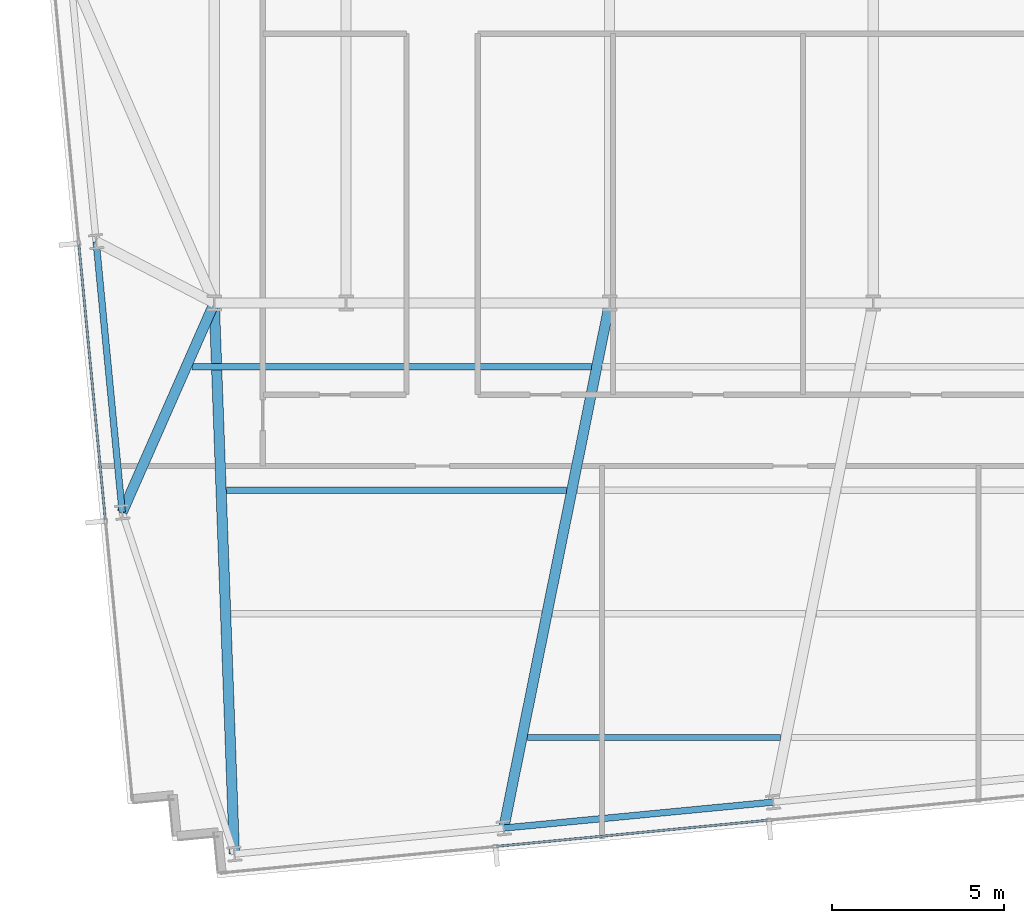
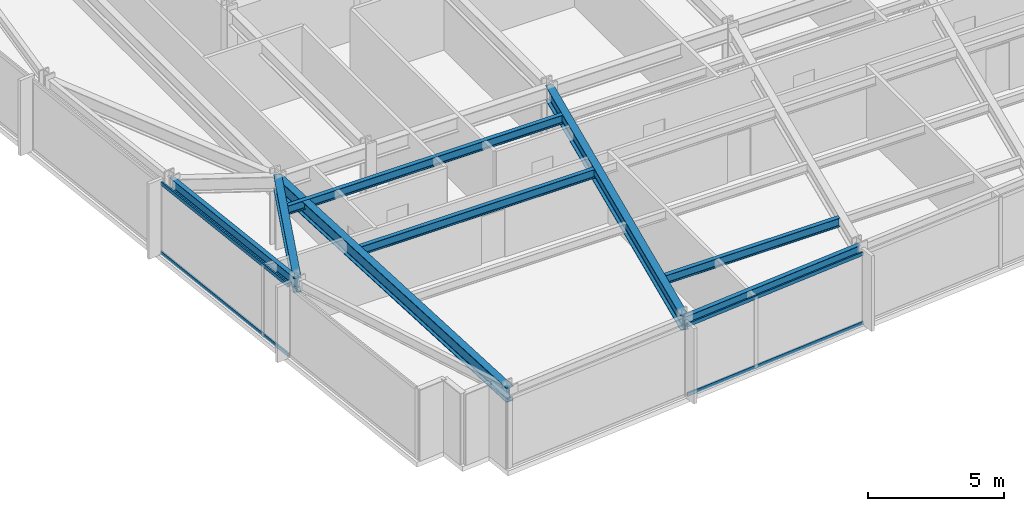
# One storey, part 3 of 33: 8 beams, 4 members, 2 elements without a shape of their own.
"""IFC4 building model written with IfcOpenShell, lengths in metres."""

import ifcopenshell
import ifcopenshell.guid

model = None  # the IFC model being written
_history = None  # IfcOwnerHistory: only IFC2X3 demands one
_inside = {}  # id of a spatial element -> (the spatial element, [elements in it])
_under = {}  # id of a project, library or spatial element -> (it, [spatial elements below it])
_declared = {}  # id of a project -> (the project, [libraries it declares])
_typed = {}  # id of a type object -> (the type object, [elements of that type])
_made_of = {}  # id of a material, layer set ... -> (it, [elements and type objects made of it])


def new_model(schema):
    """Start an empty IFC model of exactly this schema.

    Asked for "IFC4X3", IfcOpenShell would pick the latest addendum, in which some entities
    have other attributes; the version numbers below select the first issue.
    IFC2X3 requires an IfcOwnerHistory on every rooted entity: one is made here for all.
    """
    global model, _history
    if schema == "IFC4X3":
        model = ifcopenshell.file(schema_version=(4, 3, 0, 0))
    else:
        model = ifcopenshell.file(schema=schema)
    _inside.clear()
    _under.clear()
    _declared.clear()
    _typed.clear()
    _made_of.clear()
    _history = None
    if model.schema == "IFC2X3":
        org = make("IfcOrganization", Name="unknown")
        user = make(
            "IfcPersonAndOrganization",
            ThePerson=make("IfcPerson", FamilyName="unknown"),
            TheOrganization=org,
        )
        app = make(
            "IfcApplication",
            ApplicationDeveloper=org,
            Version="unknown",
            ApplicationFullName="unknown",
            ApplicationIdentifier="unknown",
        )
        _history = make(
            "IfcOwnerHistory",
            OwningUser=user,
            OwningApplication=app,
            ChangeAction="ADDED",
            CreationDate=0,
        )
    return model


def make(cls, **values):
    """One entity of the class cls with the attributes given. An attribute that is None is left unset."""
    return model.create_entity(
        cls, **{name: value for name, value in values.items() if value is not None}
    )


def rooted(cls, **values):
    """An entity with a GlobalId (a new one), such as an element, a storey or a relation."""
    return make(cls, GlobalId=ifcopenshell.guid.new(), OwnerHistory=_history, **values)


def si_unit(unit_type, name, prefix=None):
    """IfcSIUnit, for example si_unit("LENGTHUNIT", "METRE", prefix="MILLI")."""
    return make("IfcSIUnit", UnitType=unit_type, Prefix=prefix, Name=name)


def assignment(units):
    """IfcUnitAssignment: the units of a project."""
    return None if units is None else make("IfcUnitAssignment", Units=units)


def point(xyz):
    """IfcCartesianPoint."""
    return None if xyz is None else make("IfcCartesianPoint", Coordinates=xyz)


def direction(xyz):
    """IfcDirection."""
    return None if xyz is None else make("IfcDirection", DirectionRatios=xyz)


def frame(location, z_axis=None, x_axis=None):
    """IfcAxis2Placement3D, a coordinate frame: its origin and axes. An axis left out is left unset."""
    return make(
        "IfcAxis2Placement3D",
        Location=point(location),
        Axis=direction(z_axis),
        RefDirection=direction(x_axis),
    )


def frame_2d(location, x_axis=None):
    """IfcAxis2Placement2D, a coordinate frame in the plane: its origin and x axis."""
    return make(
        "IfcAxis2Placement2D", Location=point(location), RefDirection=direction(x_axis)
    )


def origin():
    """The frame at (0, 0, 0) with its axes left unset."""
    return frame((0.0, 0.0, 0.0))


def origin_2d():
    """The frame at (0, 0) in the plane with its x axis left unset."""
    return frame_2d((0.0, 0.0))


def place(relative_to, where):
    """IfcLocalPlacement: puts the frame where relative to a parent placement (None: the world)."""
    return make(
        "IfcLocalPlacement", PlacementRelTo=relative_to, RelativePlacement=where
    )


def context(
    kind, dimensions, precision=None, world=None, true_north=None, identifier=None
):
    """IfcGeometricRepresentationContext, for example the 3D "Model" context."""
    return make(
        "IfcGeometricRepresentationContext",
        ContextIdentifier=identifier,
        ContextType=kind,
        CoordinateSpaceDimension=dimensions,
        Precision=precision,
        WorldCoordinateSystem=world,
        TrueNorth=true_north,
    )


def subcontext(parent, identifier, kind, view, scale=None):
    """IfcGeometricRepresentationSubContext, for example "Body" below "Model"."""
    return make(
        "IfcGeometricRepresentationSubContext",
        ContextIdentifier=identifier,
        ContextType=kind,
        ParentContext=parent,
        TargetScale=scale,
        TargetView=view,
    )


def project(units=None, contexts=None):
    """IfcProject with its units and contexts."""
    return rooted(
        "IfcProject",
        Name="project",
        RepresentationContexts=contexts,
        UnitsInContext=assignment(units),
    )


def spatial(cls, under=None, at=None, **own):
    """A site, building, storey or space (cls), placed at a placement, below another one or the project."""
    s = rooted(cls, ObjectPlacement=at, **own)
    if under is not None:
        _under.setdefault(under.id(), (under, []))[1].append(s)
    return s


def profile(cls, at=None, kind="AREA", **sizes):
    """A parametric profile (cls). Its sizes go by their IFC names, for example OverallWidth=200.0."""
    return make(cls, ProfileType=kind, Position=at, **sizes)


def hollow_rectangle(**sizes):
    """IfcRectangleHollowProfileDef."""
    return profile("IfcRectangleHollowProfileDef", **sizes)


def i_section(**sizes):
    """IfcIShapeProfileDef."""
    return profile("IfcIShapeProfileDef", **sizes)


def extrude(swept, where, along, depth):
    """IfcExtrudedAreaSolid: the profile swept, set in the frame where, extruded along a direction by depth."""
    return make(
        "IfcExtrudedAreaSolid",
        SweptArea=swept,
        Position=where,
        ExtrudedDirection=direction(along),
        Depth=depth,
    )


def shape(context_of_items, identifier, shape_type, items):
    """IfcShapeRepresentation: the items that make up one representation, for example the "Body"."""
    return make(
        "IfcShapeRepresentation",
        ContextOfItems=context_of_items,
        RepresentationIdentifier=identifier,
        RepresentationType=shape_type,
        Items=items,
    )


def material(Name=None, Category=None):
    """IfcMaterial."""
    return make("IfcMaterial", Name=Name, Category=Category)


def material_profile(
    of_material, cross_section, Name=None, Category=None, Priority=None
):
    """IfcMaterialProfile: a cross section and its material."""
    return make(
        "IfcMaterialProfile",
        Name=Name,
        Material=of_material,
        Profile=cross_section,
        Priority=Priority,
        Category=Category,
    )


def profile_set(profiles, Name=None, composite=None):
    """IfcMaterialProfileSet."""
    return make(
        "IfcMaterialProfileSet",
        Name=Name,
        MaterialProfiles=profiles,
        CompositeProfile=composite,
    )


def made_of(thing, what):
    """Note that an element or type object is made of a material, layer set ...; save() writes the relation."""
    if what is not None:
        _made_of.setdefault(what.id(), (what, []))[1].append(thing)
    return thing


def type_object(cls, material=None, **own):
    """A type object (cls), such as IfcWallType, which elements share."""
    return made_of(rooted(cls, **own), material)


def element(
    cls,
    number,
    at=None,
    inside=None,
    cuts=None,
    type_object=None,
    material=None,
    context=None,
    identifier="Body",
    shape_type=None,
    held_by="IfcProductDefinitionShape",
    body=None,
    shapes=None,
    **own,
):
    """One element of the class cls, such as IfcWall. Its Tag is "e" and its number.

    at: its placement. inside: the storey or other place that contains it. cuts: it is an
    opening in that element (IfcRelVoidsElement). A single representation is given by context,
    identifier, shape_type and body (its items); several are given by shapes. held_by: the class
    of the entity that holds the representations. save() writes the other relations.
    """
    e = rooted(cls, Tag="e%d" % number, ObjectPlacement=at, **own)
    if body is not None:
        shapes = [shape(context, identifier, shape_type, body)]
    if shapes is not None:
        e.Representation = make(held_by, Representations=shapes)
    if inside is not None:
        _inside.setdefault(inside.id(), (inside, []))[1].append(e)
    if cuts is not None:
        rooted(
            "IfcRelVoidsElement", RelatingBuildingElement=cuts, RelatedOpeningElement=e
        )
    if type_object is not None:
        _typed.setdefault(type_object.id(), (type_object, []))[1].append(e)
    return made_of(e, material)


def aggregate(whole, parts):
    """IfcRelAggregates: a whole, such as a stair, and the parts it consists of."""
    return rooted("IfcRelAggregates", RelatingObject=whole, RelatedObjects=parts)


def save(model, path):
    """Write the relations noted so far, then the file.

    IfcRelAggregates (storeys below a building ...), IfcRelContainedInSpatialStructure (elements
    in a storey), IfcRelDefinesByType, IfcRelAssociatesMaterial and IfcRelDeclares: one each for
    every whole, place, type object, material and project.
    """
    for whole, parts in _under.values():
        aggregate(whole, parts)
    for where, things in _inside.values():
        rooted(
            "IfcRelContainedInSpatialStructure",
            RelatedElements=things,
            RelatingStructure=where,
        )
    for kind, things in _typed.values():
        rooted("IfcRelDefinesByType", RelatedObjects=things, RelatingType=kind)
    for what, things in _made_of.values():
        rooted("IfcRelAssociatesMaterial", RelatedObjects=things, RelatingMaterial=what)
    for by, libraries in _declared.values():
        rooted("IfcRelDeclares", RelatingContext=by, RelatedDefinitions=libraries)
    model.write(path)


model = new_model("IFC4")

# Units and contexts
model_context = context("Model", 3, precision=1e-05, world=origin(), true_north=direction((0.0, 1.0)))
body_context = subcontext(model_context, "Body", "Model", "MODEL_VIEW")
ifc_project = project(units=[si_unit("LENGTHUNIT", "METRE"), si_unit("AREAUNIT", "SQUARE_METRE"), si_unit("VOLUMEUNIT", "CUBIC_METRE"), si_unit("PLANEANGLEUNIT", "RADIAN"), si_unit("MASSUNIT", "GRAM", prefix="KILO")], contexts=[model_context])

# Site, building, storey
site_placement = place(None, origin())
site = spatial("IfcSite", under=ifc_project, at=site_placement, CompositionType="ELEMENT")
building_placement = place(site_placement, origin())
building = spatial("IfcBuilding", under=site, at=building_placement, Name="Yelkora Congress Tower", CompositionType="ELEMENT")
storey_placement = place(building_placement, frame((0.0, 0.0, 123.699951171875)))
storey = spatial("IfcBuildingStorey", under=building, at=storey_placement, Name="L33", CompositionType="ELEMENT", Elevation=123.699951171875)

# Beams
ifc_material_1 = material(Name="Steel S355J2", Category="steel")
ifc_material_profile_1 = material_profile(ifc_material_1, i_section(OverallWidth=0.300048828125, OverallDepth=0.64990234375, WebThickness=0.01611328125, FlangeThickness=0.031005859375, FilletRadius=0.027099609375, at=origin_2d()), Name="HEB 650")
ifc_profile_set_1 = profile_set([ifc_material_profile_1], Name="Steel S355J2")
beam_type_1 = type_object("IfcBeamType", Name="BM-GIRD-HEB650", PredefinedType="BEAM", material=ifc_profile_set_1)
beam_1_placement = place(storey_placement, frame((19.785888671875, 9.144287109375, 2.85498046875), z_axis=(-0.03646985294, 0.999334753637, 0.0), x_axis=(-0.999334753637, -0.03646985294, 0.0)))
element("IfcBeam", 1, at=beam_1_placement, inside=storey, type_object=beam_type_1, Name="L33 Primary Frame Girder S01", PredefinedType="BEAM", context=body_context, shape_type="SweptSolid", body=[
    extrude(i_section(OverallWidth=0.300048828125, OverallDepth=0.64990234375, WebThickness=0.01611328125, FlangeThickness=0.031005859375, FilletRadius=0.027099609375, at=origin_2d()), origin(), (0.0, 0.0, 1.0), 16.06640625),
])
beam_2_placement = place(storey_placement, frame((27.635498046875, 9.900146484375, 2.85498046875), z_axis=(0.197625995154, 0.980277494406, 0.0), x_axis=(-0.980277494406, 0.197625995154, 0.0)))
element("IfcBeam", 2, at=beam_2_placement, inside=storey, type_object=beam_type_1, Name="L33 Primary Frame Girder S02", PredefinedType="BEAM", context=body_context, shape_type="SweptSolid", body=[
    extrude(i_section(OverallWidth=0.300048828125, OverallDepth=0.64990234375, WebThickness=0.01611328125, FlangeThickness=0.031005859375, FilletRadius=0.027099609375, at=origin_2d()), origin(), (0.0, 0.0, 1.0), 15.607666015625),
])
beam_3_placement = place(storey_placement, frame((16.5166015625, 19.101806640625, 2.85498046875), z_axis=(0.402759490709, 0.915305846504, 0.0), x_axis=(-0.915305846504, 0.402759490709, 0.0)))
element("IfcBeam", 3, at=beam_3_placement, inside=storey, type_object=beam_type_1, Name="L33 Primary Frame Girder W01", PredefinedType="BEAM", context=body_context, shape_type="SweptSolid", body=[
    extrude(i_section(OverallWidth=0.300048828125, OverallDepth=0.64990234375, WebThickness=0.01611328125, FlangeThickness=0.031005859375, FilletRadius=0.027099609375, at=origin_2d()), origin(), (0.0, 0.0, 1.0), 6.662353515625),
])
ifc_material_profile_2 = material_profile(ifc_material_1, i_section(OverallWidth=0.179931640625, OverallDepth=0.39990234375, WebThickness=0.008544921875, FlangeThickness=0.013427734375, FilletRadius=0.02099609375, at=origin_2d()), Name="IPE 400")
ifc_profile_set_2 = profile_set([ifc_material_profile_2], Name="Steel S355J2")
beam_type_2 = type_object("IfcBeamType", Name="BM-JOIST-IPE400", PredefinedType="JOIST", material=ifc_profile_set_2)
beam_4_placement = place(storey_placement, frame((28.32861328125, 12.54443359375, 2.97998046875), z_axis=(1.0, 0.0, 0.0), x_axis=(0.0, 1.0, 0.0)))
element("IfcBeam", 4, at=beam_4_placement, inside=storey, type_object=beam_type_2, Name="L33 Composite Floor Joist 1", PredefinedType="JOIST", context=body_context, shape_type="SweptSolid", body=[
    extrude(i_section(OverallWidth=0.179931640625, OverallDepth=0.39990234375, WebThickness=0.008544921875, FlangeThickness=0.013427734375, FilletRadius=0.02099609375, at=origin_2d()), origin(), (0.0, 0.0, 1.0), 7.374755859375),
])
beam_5_placement = place(storey_placement, frame((19.55908203125, 19.744384765625, 2.97998046875), z_axis=(1.0, 0.0, 0.0), x_axis=(0.0, 1.0, 0.0)))
element("IfcBeam", 5, at=beam_5_placement, inside=storey, type_object=beam_type_2, Name="L33 Composite Floor Joist 11", PredefinedType="JOIST", context=body_context, shape_type="SweptSolid", body=[
    extrude(i_section(OverallWidth=0.179931640625, OverallDepth=0.39990234375, WebThickness=0.008544921875, FlangeThickness=0.013427734375, FilletRadius=0.02099609375, at=origin_2d()), origin(), (0.0, 0.0, 1.0), 9.901123046875),
])
beam_6_placement = place(storey_placement, frame((18.54345703125, 23.344482421875, 2.97998046875), z_axis=(1.0, 0.0, 0.0), x_axis=(0.0, 1.0, 0.0)))
element("IfcBeam", 6, at=beam_6_placement, inside=storey, type_object=beam_type_2, Name="L33 Composite Floor Joist 18", PredefinedType="JOIST", context=body_context, shape_type="SweptSolid", body=[
    extrude(i_section(OverallWidth=0.179931640625, OverallDepth=0.39990234375, WebThickness=0.008544921875, FlangeThickness=0.013427734375, FilletRadius=0.02099609375, at=origin_2d()), origin(), (0.0, 0.0, 1.0), 11.642333984375),
])
ifc_material_profile_3 = material_profile(ifc_material_1, i_section(OverallWidth=0.18994140625, OverallDepth=0.449951171875, WebThickness=0.009521484375, FlangeThickness=0.0146484375, FilletRadius=0.02099609375, at=origin_2d()), Name="IPE 450")
ifc_profile_set_3 = profile_set([ifc_material_profile_3], Name="Steel S355J2")
beam_type_3 = type_object("IfcBeamType", Name="BM-SPAN-IPE450", PredefinedType="SPANDREL", material=ifc_profile_set_3)
beam_7_placement = place(storey_placement, frame((15.757080078125, 26.990478515625, 2.955078125), z_axis=(0.09583684824, -0.995397055712, 0.0), x_axis=(0.995397055712, 0.09583684824, 0.0)))
element("IfcBeam", 7, at=beam_7_placement, inside=storey, type_object=beam_type_3, Name="L33 Perimeter Beam 1", PredefinedType="SPANDREL", context=body_context, shape_type="SweptSolid", body=[
    extrude(i_section(OverallWidth=0.18994140625, OverallDepth=0.449951171875, WebThickness=0.009521484375, FlangeThickness=0.0146484375, FilletRadius=0.02099609375, at=origin_2d()), origin(), (0.0, 0.0, 1.0), 7.925048828125),
])
beam_8_placement = place(storey_placement, frame((27.635498046875, 9.900146484375, 2.955078125), z_axis=(0.995395575667, 0.095852219286, 0.0), x_axis=(-0.095852219286, 0.995395575667, 0.0)))
element("IfcBeam", 8, at=beam_8_placement, inside=storey, type_object=beam_type_3, Name="L33 Perimeter Beam 4", PredefinedType="SPANDREL", context=body_context, shape_type="SweptSolid", body=[
    extrude(i_section(OverallWidth=0.18994140625, OverallDepth=0.449951171875, WebThickness=0.009521484375, FlangeThickness=0.0146484375, FilletRadius=0.02099609375, at=origin_2d()), origin(), (0.0, 0.0, 1.0), 7.8857421875),
])

# Curtain wall, members
ifc_material_2 = material(Name="Anodised aluminium and insulated glass", Category="aluminium")
curtain_wall_type = type_object("IfcCurtainWallType", Name="CW-SYS-B2", PredefinedType="NOTDEFINED", material=ifc_material_2)
curtain_wall_1_placement = place(storey_placement, origin())
curtain_wall_1 = element("IfcCurtainWall", 9, at=curtain_wall_1_placement, inside=storey, type_object=curtain_wall_type, Name="L33 Unitised Curtain Wall 5", PredefinedType="NOTDEFINED")
ifc_material_3 = material(Name="Anodised aluminium 6063-T6", Category="aluminium")
ifc_material_profile_4 = material_profile(ifc_material_3, hollow_rectangle(XDim=0.06494140625, YDim=0.159912109375, WallThickness=0.00390625, at=origin_2d()), Name="ALU 65x160x4")
ifc_profile_set_4 = profile_set([ifc_material_profile_4], Name="Anodised aluminium 6063-T6")
member_type = type_object("IfcMemberType", Name="MEM-TR-B2", PredefinedType="USERDEFINED", material=ifc_profile_set_4)
member_1_placement = place(storey_placement, frame((16.025146484375, 18.8837890625, 0.032470703125), z_axis=(-0.095838228465, 0.995396922823, 0.0), x_axis=(-0.995396922823, -0.095838228465, 0.0)))
member_1 = element("IfcMember", 10, at=member_1_placement, type_object=member_type, Name="CW-B2 transom 2.1", ObjectType="TRANSOM", PredefinedType="USERDEFINED", context=body_context, shape_type="SweptSolid", body=[
    extrude(hollow_rectangle(XDim=0.06494140625, YDim=0.159912109375, WallThickness=0.00390625, at=origin_2d()), origin(), (0.0, 0.0, 1.0), 8.06005859375),
])
member_2_placement = place(storey_placement, frame((16.025146484375, 18.8837890625, 3.1474609375), z_axis=(-0.095838228465, 0.995396922823, 0.0), x_axis=(-0.995396922823, -0.095838228465, 0.0)))
member_2 = element("IfcMember", 11, at=member_2_placement, type_object=member_type, Name="CW-B2 transom 2.2", ObjectType="TRANSOM", PredefinedType="USERDEFINED", context=body_context, shape_type="SweptSolid", body=[
    extrude(hollow_rectangle(XDim=0.06494140625, YDim=0.159912109375, WallThickness=0.00390625, at=origin_2d()), origin(), (0.0, 0.0, 1.0), 8.06005859375),
])
aggregate(curtain_wall_1, [member_1, member_2])

curtain_wall_2_placement = place(storey_placement, origin())
curtain_wall_2 = element("IfcCurtainWall", 12, at=curtain_wall_2_placement, inside=storey, type_object=curtain_wall_type, Name="L33 Unitised Curtain Wall 20", PredefinedType="NOTDEFINED")
member_3_placement = place(storey_placement, frame((35.323974609375, 10.128173828125, 0.032470703125), z_axis=(-0.995397293396, -0.095834379534, 0.0), x_axis=(0.095834379534, -0.995397293396, 0.0)))
member_3 = element("IfcMember", 13, at=member_3_placement, type_object=member_type, Name="CW-B2 transom 6.1", ObjectType="TRANSOM", PredefinedType="USERDEFINED", context=body_context, shape_type="SweptSolid", body=[
    extrude(hollow_rectangle(XDim=0.06494140625, YDim=0.159912109375, WallThickness=0.00390625, at=origin_2d()), origin(), (0.0, 0.0, 1.0), 7.93310546875),
])
member_4_placement = place(storey_placement, frame((35.323974609375, 10.128173828125, 3.1474609375), z_axis=(-0.995397293396, -0.095834379534, 0.0), x_axis=(0.095834379534, -0.995397293396, 0.0)))
member_4 = element("IfcMember", 14, at=member_4_placement, type_object=member_type, Name="CW-B2 transom 6.2", ObjectType="TRANSOM", PredefinedType="USERDEFINED", context=body_context, shape_type="SweptSolid", body=[
    extrude(hollow_rectangle(XDim=0.06494140625, YDim=0.159912109375, WallThickness=0.00390625, at=origin_2d()), origin(), (0.0, 0.0, 1.0), 7.93310546875),
])
aggregate(curtain_wall_2, [member_3, member_4])

save(model, "model.ifc")
